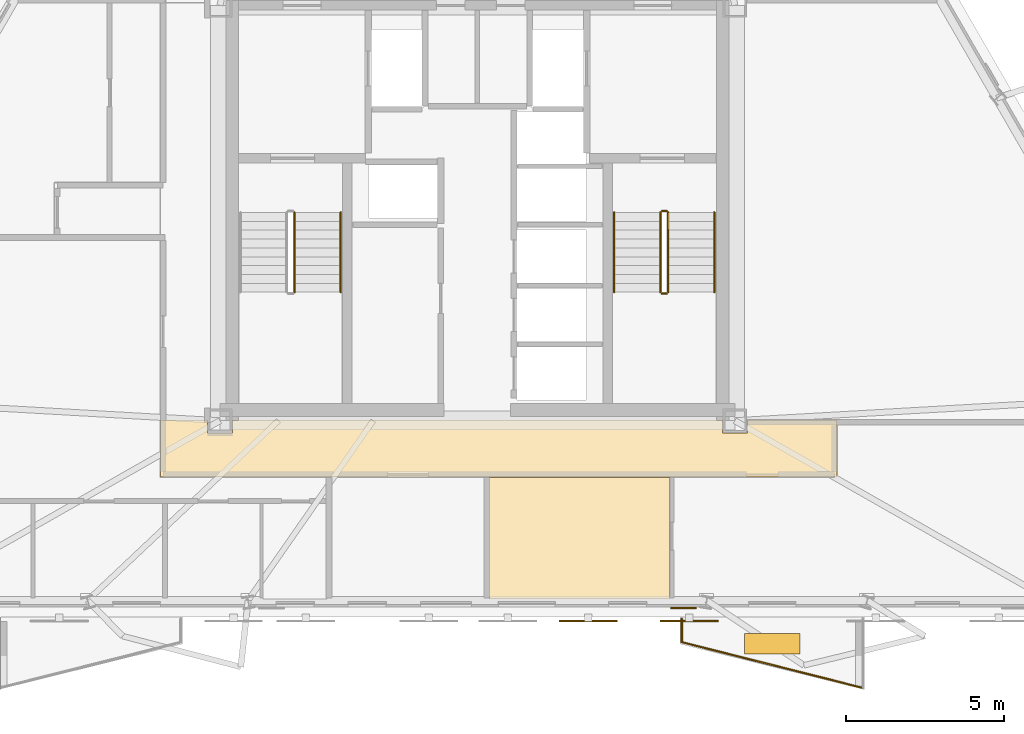
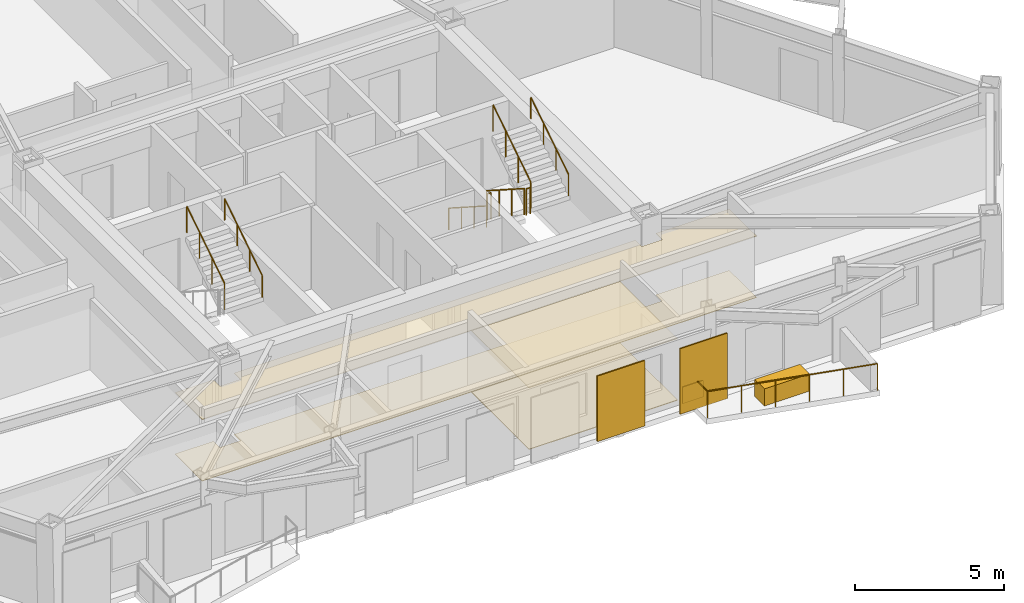
# One storey, part 7 of 8: 10 railings, 6 coverings, 2 shading devices.
"""IFC4 building model written with IfcOpenShell, lengths in metres."""

import ifcopenshell
import ifcopenshell.guid

model = None  # the IFC model being written
_history = None  # IfcOwnerHistory: only IFC2X3 demands one
_inside = {}  # id of a spatial element -> (the spatial element, [elements in it])
_under = {}  # id of a project, library or spatial element -> (it, [spatial elements below it])
_declared = {}  # id of a project -> (the project, [libraries it declares])
_typed = {}  # id of a type object -> (the type object, [elements of that type])
_made_of = {}  # id of a material, layer set ... -> (it, [elements and type objects made of it])


def new_model(schema):
    """Start an empty IFC model of exactly this schema.

    Asked for "IFC4X3", IfcOpenShell would pick the latest addendum, in which some entities
    have other attributes; the version numbers below select the first issue.
    IFC2X3 requires an IfcOwnerHistory on every rooted entity: one is made here for all.
    """
    global model, _history
    if schema == "IFC4X3":
        model = ifcopenshell.file(schema_version=(4, 3, 0, 0))
    else:
        model = ifcopenshell.file(schema=schema)
    _inside.clear()
    _under.clear()
    _declared.clear()
    _typed.clear()
    _made_of.clear()
    _history = None
    if model.schema == "IFC2X3":
        org = make("IfcOrganization", Name="unknown")
        user = make(
            "IfcPersonAndOrganization",
            ThePerson=make("IfcPerson", FamilyName="unknown"),
            TheOrganization=org,
        )
        app = make(
            "IfcApplication",
            ApplicationDeveloper=org,
            Version="unknown",
            ApplicationFullName="unknown",
            ApplicationIdentifier="unknown",
        )
        _history = make(
            "IfcOwnerHistory",
            OwningUser=user,
            OwningApplication=app,
            ChangeAction="ADDED",
            CreationDate=0,
        )
    return model


def make(cls, **values):
    """One entity of the class cls with the attributes given. An attribute that is None is left unset."""
    return model.create_entity(
        cls, **{name: value for name, value in values.items() if value is not None}
    )


def rooted(cls, **values):
    """An entity with a GlobalId (a new one), such as an element, a storey or a relation."""
    return make(cls, GlobalId=ifcopenshell.guid.new(), OwnerHistory=_history, **values)


def si_unit(unit_type, name, prefix=None):
    """IfcSIUnit, for example si_unit("LENGTHUNIT", "METRE", prefix="MILLI")."""
    return make("IfcSIUnit", UnitType=unit_type, Prefix=prefix, Name=name)


def assignment(units):
    """IfcUnitAssignment: the units of a project."""
    return None if units is None else make("IfcUnitAssignment", Units=units)


def point(xyz):
    """IfcCartesianPoint."""
    return None if xyz is None else make("IfcCartesianPoint", Coordinates=xyz)


def direction(xyz):
    """IfcDirection."""
    return None if xyz is None else make("IfcDirection", DirectionRatios=xyz)


def frame(location, z_axis=None, x_axis=None):
    """IfcAxis2Placement3D, a coordinate frame: its origin and axes. An axis left out is left unset."""
    return make(
        "IfcAxis2Placement3D",
        Location=point(location),
        Axis=direction(z_axis),
        RefDirection=direction(x_axis),
    )


def frame_2d(location, x_axis=None):
    """IfcAxis2Placement2D, a coordinate frame in the plane: its origin and x axis."""
    return make(
        "IfcAxis2Placement2D", Location=point(location), RefDirection=direction(x_axis)
    )


def origin():
    """The frame at (0, 0, 0) with its axes left unset."""
    return frame((0.0, 0.0, 0.0))


def origin_2d():
    """The frame at (0, 0) in the plane with its x axis left unset."""
    return frame_2d((0.0, 0.0))


def place(relative_to, where):
    """IfcLocalPlacement: puts the frame where relative to a parent placement (None: the world)."""
    return make(
        "IfcLocalPlacement", PlacementRelTo=relative_to, RelativePlacement=where
    )


def context(
    kind, dimensions, precision=None, world=None, true_north=None, identifier=None
):
    """IfcGeometricRepresentationContext, for example the 3D "Model" context."""
    return make(
        "IfcGeometricRepresentationContext",
        ContextIdentifier=identifier,
        ContextType=kind,
        CoordinateSpaceDimension=dimensions,
        Precision=precision,
        WorldCoordinateSystem=world,
        TrueNorth=true_north,
    )


def subcontext(parent, identifier, kind, view, scale=None):
    """IfcGeometricRepresentationSubContext, for example "Body" below "Model"."""
    return make(
        "IfcGeometricRepresentationSubContext",
        ContextIdentifier=identifier,
        ContextType=kind,
        ParentContext=parent,
        TargetScale=scale,
        TargetView=view,
    )


def project(units=None, contexts=None):
    """IfcProject with its units and contexts."""
    return rooted(
        "IfcProject",
        Name="project",
        RepresentationContexts=contexts,
        UnitsInContext=assignment(units),
    )


def spatial(cls, under=None, at=None, **own):
    """A site, building, storey or space (cls), placed at a placement, below another one or the project."""
    s = rooted(cls, ObjectPlacement=at, **own)
    if under is not None:
        _under.setdefault(under.id(), (under, []))[1].append(s)
    return s


def polyline(points):
    """IfcPolyline through the points."""
    return make("IfcPolyline", Points=[point(p) for p in points])


def profile(cls, at=None, kind="AREA", **sizes):
    """A parametric profile (cls). Its sizes go by their IFC names, for example OverallWidth=200.0."""
    return make(cls, ProfileType=kind, Position=at, **sizes)


def rectangle(**sizes):
    """IfcRectangleProfileDef."""
    return profile("IfcRectangleProfileDef", **sizes)


def circle(**sizes):
    """IfcCircleProfileDef."""
    return profile("IfcCircleProfileDef", **sizes)


def outline(outer, holes=None, kind="AREA"):
    """IfcArbitraryClosedProfileDef: a profile drawn as a closed curve; with holes, ...WithVoids."""
    if holes is None:
        return make("IfcArbitraryClosedProfileDef", ProfileType=kind, OuterCurve=outer)
    return make(
        "IfcArbitraryProfileDefWithVoids",
        ProfileType=kind,
        OuterCurve=outer,
        InnerCurves=holes,
    )


def extrude(swept, where, along, depth):
    """IfcExtrudedAreaSolid: the profile swept, set in the frame where, extruded along a direction by depth."""
    return make(
        "IfcExtrudedAreaSolid",
        SweptArea=swept,
        Position=where,
        ExtrudedDirection=direction(along),
        Depth=depth,
    )


def shape(context_of_items, identifier, shape_type, items):
    """IfcShapeRepresentation: the items that make up one representation, for example the "Body"."""
    return make(
        "IfcShapeRepresentation",
        ContextOfItems=context_of_items,
        RepresentationIdentifier=identifier,
        RepresentationType=shape_type,
        Items=items,
    )


def material(Name=None, Category=None):
    """IfcMaterial."""
    return make("IfcMaterial", Name=Name, Category=Category)


def layer(
    of_material, thickness, ventilated=None, Name=None, Category=None, Priority=None
):
    """IfcMaterialLayer: one layer of a wall or slab, of a material (None: an air gap)."""
    return make(
        "IfcMaterialLayer",
        Material=of_material,
        LayerThickness=thickness,
        IsVentilated=ventilated,
        Name=Name,
        Category=Category,
        Priority=Priority,
    )


def layer_set(layers, Name=None):
    """IfcMaterialLayerSet."""
    return make("IfcMaterialLayerSet", MaterialLayers=layers, LayerSetName=Name)


def made_of(thing, what):
    """Note that an element or type object is made of a material, layer set ...; save() writes the relation."""
    if what is not None:
        _made_of.setdefault(what.id(), (what, []))[1].append(thing)
    return thing


def type_object(cls, material=None, **own):
    """A type object (cls), such as IfcWallType, which elements share."""
    return made_of(rooted(cls, **own), material)


def element(
    cls,
    number,
    at=None,
    inside=None,
    cuts=None,
    type_object=None,
    material=None,
    context=None,
    identifier="Body",
    shape_type=None,
    held_by="IfcProductDefinitionShape",
    body=None,
    shapes=None,
    **own,
):
    """One element of the class cls, such as IfcWall. Its Tag is "e" and its number.

    at: its placement. inside: the storey or other place that contains it. cuts: it is an
    opening in that element (IfcRelVoidsElement). A single representation is given by context,
    identifier, shape_type and body (its items); several are given by shapes. held_by: the class
    of the entity that holds the representations. save() writes the other relations.
    """
    e = rooted(cls, Tag="e%d" % number, ObjectPlacement=at, **own)
    if body is not None:
        shapes = [shape(context, identifier, shape_type, body)]
    if shapes is not None:
        e.Representation = make(held_by, Representations=shapes)
    if inside is not None:
        _inside.setdefault(inside.id(), (inside, []))[1].append(e)
    if cuts is not None:
        rooted(
            "IfcRelVoidsElement", RelatingBuildingElement=cuts, RelatedOpeningElement=e
        )
    if type_object is not None:
        _typed.setdefault(type_object.id(), (type_object, []))[1].append(e)
    return made_of(e, material)


def aggregate(whole, parts):
    """IfcRelAggregates: a whole, such as a stair, and the parts it consists of."""
    return rooted("IfcRelAggregates", RelatingObject=whole, RelatedObjects=parts)


def save(model, path):
    """Write the relations noted so far, then the file.

    IfcRelAggregates (storeys below a building ...), IfcRelContainedInSpatialStructure (elements
    in a storey), IfcRelDefinesByType, IfcRelAssociatesMaterial and IfcRelDeclares: one each for
    every whole, place, type object, material and project.
    """
    for whole, parts in _under.values():
        aggregate(whole, parts)
    for where, things in _inside.values():
        rooted(
            "IfcRelContainedInSpatialStructure",
            RelatedElements=things,
            RelatingStructure=where,
        )
    for kind, things in _typed.values():
        rooted("IfcRelDefinesByType", RelatedObjects=things, RelatingType=kind)
    for what, things in _made_of.values():
        rooted("IfcRelAssociatesMaterial", RelatedObjects=things, RelatingMaterial=what)
    for by, libraries in _declared.values():
        rooted("IfcRelDeclares", RelatingContext=by, RelatedDefinitions=libraries)
    model.write(path)


model = new_model("IFC4")

# Units and contexts
model_context = context("Model", 3, precision=1e-05, world=origin(), true_north=direction((0.0, 1.0)))
body_context = subcontext(model_context, "Body", "Model", "MODEL_VIEW")
ifc_project = project(units=[si_unit("LENGTHUNIT", "METRE"), si_unit("AREAUNIT", "SQUARE_METRE"), si_unit("VOLUMEUNIT", "CUBIC_METRE"), si_unit("PLANEANGLEUNIT", "RADIAN"), si_unit("MASSUNIT", "GRAM", prefix="KILO")], contexts=[model_context])

# Site, building, storey
site_placement = place(None, origin())
site = spatial("IfcSite", under=ifc_project, at=site_placement, CompositionType="ELEMENT")
building_placement = place(site_placement, origin())
building = spatial("IfcBuilding", under=site, at=building_placement, Name="Oramaril Tower", CompositionType="ELEMENT")
storey_placement = place(building_placement, frame((0.0, 0.0, 193.800048828125)))
storey = spatial("IfcBuildingStorey", under=building, at=storey_placement, Name="L51", CompositionType="ELEMENT", Elevation=193.800048828125)

# Coverings
ifc_material_1 = material(Name="Mineral Fibre Acoustic Ceiling")
ifc_layer_1 = layer(ifc_material_1, 0.02001953125)
ifc_layer_set_1 = layer_set([ifc_layer_1], Name="CVT-CEIL")
covering_type_1 = type_object("IfcCoveringType", Name="CVT-CEIL", PredefinedType="CEILING", material=ifc_layer_set_1)
covering_1_placement = place(storey_placement, frame((0.0, 0.0, 2.511962890625)))
element("IfcCovering", 1, at=covering_1_placement, inside=storey, type_object=covering_type_1, Name="L51 Acoustic Suspended Ceiling 1", PredefinedType="CEILING", context=body_context, shape_type="SweptSolid", body=[
    extrude(outline(polyline([(28.955078125, 10.60498046875), (29.7451171875, 10.60498046875), (29.7451171875, 11.030029296875), (45.2548828125, 11.030029296875), (45.2548828125, 10.60498046875), (46.044921875, 10.60498046875), (46.044921875, 11.030029296875), (48.8798828125, 11.030029296875), (48.8798828125, 9.219970703125), (27.469970703125, 9.219970703125), (27.469970703125, 11.030029296875), (28.955078125, 11.030029296875), (28.955078125, 10.60498046875)])), origin(), (0.0, 0.0, 1.0), 0.02001953125),
])
covering_2_placement = place(storey_placement, frame((0.0, 0.0, 2.511962890625)))
element("IfcCovering", 2, at=covering_2_placement, inside=storey, type_object=covering_type_1, Name="L51 Acoustic Suspended Ceiling 8", PredefinedType="CEILING", context=body_context, shape_type="SweptSolid", body=[
    extrude(outline(polyline([(37.862060546875, 5.349609375), (37.862060546875, 9.199951171875), (43.60107421875, 9.199951171875), (43.60107421875, 5.349609375), (37.862060546875, 5.349609375)])), origin(), (0.0, 0.0, 1.0), 0.02001953125),
])
ifc_material_2 = material(Name="Warm Cream Limestone", Category="masonry")
ifc_layer_2 = layer(ifc_material_2, 0.050048828125)
ifc_layer_set_2 = layer_set([ifc_layer_2], Name="CVT-CLD")
covering_type_2 = type_object("IfcCoveringType", Name="CVT-CLD", PredefinedType="CLADDING", material=ifc_layer_set_2)
covering_3_placement = place(storey_placement, frame((44.022216796875, 5.07373046875, 0.0400390625), z_axis=(0.0, 0.0, 1.0), x_axis=(1.0, 0.0, 0.0)))
element("IfcCovering", 3, at=covering_3_placement, inside=storey, type_object=covering_type_2, Name="L51 Warm Cream Limestone Spandrel Cladding", PredefinedType="CLADDING", context=body_context, shape_type="SweptSolid", body=[
    extrude(rectangle(XDim=0.800048828125, YDim=0.050048828125, at=origin_2d()), origin(), (0.0, 0.0, 1.0), 0.679931640625),
])
covering_4_placement = place(storey_placement, frame((46.8330078125, 3.9453125, 0.0), z_axis=(0.0, 0.0, 1.0), x_axis=(1.0, 0.0, 0.0)))
element("IfcCovering", 4, at=covering_4_placement, inside=storey, type_object=covering_type_2, Name="L51 Structural Tree Planter Box L51-BAL-S2", PredefinedType="CLADDING", context=body_context, shape_type="SweptSolid", body=[
    extrude(rectangle(XDim=1.75, YDim=0.64990234375, at=origin_2d()), origin(), (0.0, 0.0, 1.0), 0.699951171875),
])
ifc_material_3 = material(Name="Honed Quartzite Stone Flooring", Category="masonry")
ifc_layer_3 = layer(ifc_material_3, 0.02490234375)
ifc_layer_set_3 = layer_set([ifc_layer_3], Name="CVT-FLR")
covering_type_3 = type_object("IfcCoveringType", Name="CVT-FLR", PredefinedType="FLOORING", material=ifc_layer_set_3)
covering_5_placement = place(storey_placement, origin())
element("IfcCovering", 5, at=covering_5_placement, inside=storey, type_object=covering_type_3, Name="L51 Honed Stone Floor Finish 1", PredefinedType="FLOORING", context=body_context, shape_type="SweptSolid", body=[
    extrude(outline(polyline([(28.955078125, 10.60498046875), (29.7451171875, 10.60498046875), (29.7451171875, 11.030029296875), (45.2548828125, 11.030029296875), (45.2548828125, 10.60498046875), (46.044921875, 10.60498046875), (46.044921875, 11.030029296875), (48.8798828125, 11.030029296875), (48.8798828125, 9.219970703125), (27.469970703125, 9.219970703125), (27.469970703125, 11.030029296875), (28.955078125, 11.030029296875), (28.955078125, 10.60498046875)])), origin(), (0.0, 0.0, 1.0), 0.02490234375),
])
covering_6_placement = place(storey_placement, origin())
element("IfcCovering", 6, at=covering_6_placement, inside=storey, type_object=covering_type_3, Name="L51 Honed Stone Floor Finish 8", PredefinedType="FLOORING", context=body_context, shape_type="SweptSolid", body=[
    extrude(outline(polyline([(37.862060546875, 5.349609375), (37.862060546875, 9.199951171875), (43.60107421875, 9.199951171875), (43.60107421875, 5.349609375), (37.862060546875, 5.349609375)])), origin(), (0.0, 0.0, 1.0), 0.02490234375),
])

# Railings
ifc_material_4 = material(Name="Stainless Steel 316L", Category="steel")
railing_type_1 = type_object("IfcRailingType", Name="RLT-GRD", PredefinedType="GUARDRAIL", material=ifc_material_4)
railing_1_placement = place(storey_placement, frame((49.697998046875, 2.541748046875, 0.0)))
element("IfcRailing", 7, at=railing_1_placement, inside=storey, type_object=railing_type_1, Name="L51 Balcony Guardrail L51-BAL-S2.2", PredefinedType="GUARDRAIL", context=body_context, shape_type="SweptSolid", body=[
    extrude(circle(Radius=0.02392578125, at=origin_2d()), frame((0.0, 0.0, 1.076171875), z_axis=(-0.969443611257, 0.245314256807, 0.0), x_axis=(-0.245314256807, -0.969443611257, 0.0)), (0.0, 0.0, 1.0), 5.91064453125),
    extrude(circle(Radius=0.02099609375, at=origin_2d()), origin(), (0.0, 0.0, 1.0), 1.052001953125),
    extrude(circle(Radius=0.02099609375, at=origin_2d()), frame((-1.14599609375, 0.2900390625, 0.0)), (0.0, 0.0, 1.0), 1.052001953125),
    extrude(circle(Radius=0.02099609375, at=origin_2d()), frame((-2.2919921875, 0.580078125, 0.0)), (0.0, 0.0, 1.0), 1.052001953125),
    extrude(circle(Radius=0.02099609375, at=origin_2d()), frame((-3.43798828125, 0.869873046875, 0.0)), (0.0, 0.0, 1.0), 1.052001953125),
    extrude(circle(Radius=0.02099609375, at=origin_2d()), frame((-4.583984375, 1.159912109375, 0.0)), (0.0, 0.0, 1.0), 1.052001953125),
    extrude(circle(Radius=0.02099609375, at=origin_2d()), frame((-5.72998046875, 1.449951171875, 0.0)), (0.0, 0.0, 1.0), 1.052001953125),
])
railing_2_placement = place(storey_placement, frame((43.968017578125, 3.99169921875, 0.0)))
element("IfcRailing", 8, at=railing_2_placement, inside=storey, type_object=railing_type_1, Name="L51 Balcony Guardrail L51-BAL-S2.3", PredefinedType="GUARDRAIL", context=body_context, shape_type="SweptSolid", body=[
    extrude(circle(Radius=0.02392578125, at=origin_2d()), frame((0.0, 0.0, 1.076171875), z_axis=(0.0, 1.0, 0.0), x_axis=(-1.0, 0.0, 0.0)), (0.0, 0.0, 1.0), 0.741943359375),
    extrude(circle(Radius=0.02099609375, at=origin_2d()), origin(), (0.0, 0.0, 1.0), 1.052001953125),
    extrude(circle(Radius=0.02099609375, at=origin_2d()), frame((0.0, 0.741943359375, 0.0)), (0.0, 0.0, 1.0), 1.052001953125),
])
railing_3_placement = place(storey_placement, frame((31.7099609375, 15.070068359375, 1.97998046875)))
element("IfcRailing", 9, at=railing_3_placement, inside=storey, type_object=railing_type_1, Name="L51 ST-1 stair guard 3", PredefinedType="GUARDRAIL", context=body_context, shape_type="SweptSolid", body=[
    extrude(circle(Radius=0.02392578125, at=origin_2d()), frame((0.0, 0.0, 1.076171875), z_axis=(0.0, 0.841199657755, 0.540724639528), x_axis=(-1.0, 0.0, 0.0)), (0.0, 0.0, 1.0), 2.995849609375),
    extrude(circle(Radius=0.02099609375, at=origin_2d()), origin(), (0.0, 0.0, 1.0), 1.052001953125),
    extrude(circle(Radius=0.02099609375, at=origin_2d()), frame((0.0, 0.840087890625, 0.5400390625)), (0.0, 0.0, 1.0), 1.052001953125),
    extrude(circle(Radius=0.02099609375, at=origin_2d()), frame((0.0, 1.679931640625, 1.079833984375)), (0.0, 0.0, 1.0), 1.052001953125),
    extrude(circle(Radius=0.02099609375, at=origin_2d()), frame((0.0, 2.52001953125, 1.619873046875)), (0.0, 0.0, 1.0), 1.052001953125),
])
railing_4_placement = place(storey_placement, frame((43.2900390625, 17.590087890625, 0.179931640625)))
element("IfcRailing", 10, at=railing_4_placement, inside=storey, type_object=railing_type_1, Name="L51 ST-2 stair guard 1", PredefinedType="GUARDRAIL", context=body_context, shape_type="SweptSolid", body=[
    extrude(circle(Radius=0.02392578125, at=origin_2d()), frame((0.0, 0.0, 1.076171875), z_axis=(0.0, -0.841162588446, 0.540782303519), x_axis=(1.0, 0.0, 0.0)), (0.0, 0.0, 1.0), 2.995849609375),
    extrude(circle(Radius=0.02099609375, at=origin_2d()), origin(), (0.0, 0.0, 1.0), 1.052001953125),
    extrude(circle(Radius=0.02099609375, at=origin_2d()), frame((0.0, -0.840087890625, 0.5400390625)), (0.0, 0.0, 1.0), 1.052001953125),
    extrude(circle(Radius=0.02099609375, at=origin_2d()), frame((0.0, -1.679931640625, 1.080078125)), (0.0, 0.0, 1.0), 1.052001953125),
    extrude(circle(Radius=0.02099609375, at=origin_2d()), frame((0.0, -2.52001953125, 1.6201171875)), (0.0, 0.0, 1.0), 1.052001953125),
])
railing_5_placement = place(storey_placement, frame((43.340087890625, 15.02001953125, 1.800048828125)))
element("IfcRailing", 11, at=railing_5_placement, inside=storey, type_object=railing_type_1, Name="L51 ST-2 stair guard 2", PredefinedType="GUARDRAIL", context=body_context, shape_type="SweptSolid", body=[
    extrude(circle(Radius=0.02392578125, at=origin_2d()), frame((0.0, 0.0, 1.076171875), z_axis=(1.0, 0.0, 0.0), x_axis=(0.0, 1.0, 0.0)), (0.0, 0.0, 1.0), 0.14990234375),
    extrude(circle(Radius=0.02099609375, at=origin_2d()), origin(), (0.0, 0.0, 1.0), 1.052001953125),
    extrude(circle(Radius=0.02099609375, at=origin_2d()), frame((0.14990234375, 0.0, 0.0)), (0.0, 0.0, 1.0), 1.052001953125),
])
railing_6_placement = place(storey_placement, frame((43.5400390625, 15.070068359375, 1.97998046875)))
element("IfcRailing", 12, at=railing_6_placement, inside=storey, type_object=railing_type_1, Name="L51 ST-2 stair guard 3", PredefinedType="GUARDRAIL", context=body_context, shape_type="SweptSolid", body=[
    extrude(circle(Radius=0.02392578125, at=origin_2d()), frame((0.0, 0.0, 1.076171875), z_axis=(0.0, 0.841199657755, 0.540724639528), x_axis=(-1.0, 0.0, 0.0)), (0.0, 0.0, 1.0), 2.995849609375),
    extrude(circle(Radius=0.02099609375, at=origin_2d()), origin(), (0.0, 0.0, 1.0), 1.052001953125),
    extrude(circle(Radius=0.02099609375, at=origin_2d()), frame((0.0, 0.840087890625, 0.5400390625)), (0.0, 0.0, 1.0), 1.052001953125),
    extrude(circle(Radius=0.02099609375, at=origin_2d()), frame((0.0, 1.679931640625, 1.079833984375)), (0.0, 0.0, 1.0), 1.052001953125),
    extrude(circle(Radius=0.02099609375, at=origin_2d()), frame((0.0, 2.52001953125, 1.619873046875)), (0.0, 0.0, 1.0), 1.052001953125),
])
railing_7_placement = place(storey_placement, frame((43.340087890625, 17.639892578125, 0.0)))
element("IfcRailing", 13, at=railing_7_placement, inside=storey, type_object=railing_type_1, Name="L51 ST-2 stair guard 4", PredefinedType="GUARDRAIL", context=body_context, shape_type="SweptSolid", body=[
    extrude(circle(Radius=0.02392578125, at=origin_2d()), frame((0.0, 0.0, 1.076171875), z_axis=(1.0, 0.0, 0.0), x_axis=(0.0, 1.0, 0.0)), (0.0, 0.0, 1.0), 0.14990234375),
    extrude(circle(Radius=0.02099609375, at=origin_2d()), origin(), (0.0, 0.0, 1.0), 1.052001953125),
    extrude(circle(Radius=0.02099609375, at=origin_2d()), frame((0.14990234375, 0.0, 0.0)), (0.0, 0.0, 1.0), 1.052001953125),
])
ifc_material_5 = material(Name="Stainless Steel 316L", Category="steel")
railing_type_2 = type_object("IfcRailingType", Name="RLT-HND", PredefinedType="HANDRAIL", material=ifc_material_5)
railing_8_placement = place(storey_placement, frame((33.169921875, 15.070068359375, 1.97998046875)))
element("IfcRailing", 14, at=railing_8_placement, inside=storey, type_object=railing_type_2, Name="L51 ST-1 stair handrail 2", PredefinedType="HANDRAIL", context=body_context, shape_type="SweptSolid", body=[
    extrude(circle(Radius=0.02392578125, at=origin_2d()), frame((0.0, 0.0, 0.8759765625), z_axis=(0.0, 0.841199657755, 0.540724639528), x_axis=(-1.0, 0.0, 0.0)), (0.0, 0.0, 1.0), 2.995849609375),
    extrude(circle(Radius=0.02099609375, at=origin_2d()), origin(), (0.0, 0.0, 1.0), 0.851806640625),
    extrude(circle(Radius=0.02099609375, at=origin_2d()), frame((0.0, 0.840087890625, 0.5400390625)), (0.0, 0.0, 1.0), 0.851806640625),
    extrude(circle(Radius=0.02099609375, at=origin_2d()), frame((0.0, 1.679931640625, 1.079833984375)), (0.0, 0.0, 1.0), 0.851806640625),
    extrude(circle(Radius=0.02099609375, at=origin_2d()), frame((0.0, 2.52001953125, 1.619873046875)), (0.0, 0.0, 1.0), 0.851806640625),
])
railing_9_placement = place(storey_placement, frame((41.830078125, 17.590087890625, 0.179931640625)))
element("IfcRailing", 15, at=railing_9_placement, inside=storey, type_object=railing_type_2, Name="L51 ST-2 stair handrail 1", PredefinedType="HANDRAIL", context=body_context, shape_type="SweptSolid", body=[
    extrude(circle(Radius=0.02392578125, at=origin_2d()), frame((0.0, 0.0, 0.8759765625), z_axis=(0.0, -0.841162588446, 0.540782303519), x_axis=(1.0, 0.0, 0.0)), (0.0, 0.0, 1.0), 2.995849609375),
    extrude(circle(Radius=0.02099609375, at=origin_2d()), origin(), (0.0, 0.0, 1.0), 0.851806640625),
    extrude(circle(Radius=0.02099609375, at=origin_2d()), frame((0.0, -0.840087890625, 0.5400390625)), (0.0, 0.0, 1.0), 0.851806640625),
    extrude(circle(Radius=0.02099609375, at=origin_2d()), frame((0.0, -1.679931640625, 1.080078125)), (0.0, 0.0, 1.0), 0.851806640625),
    extrude(circle(Radius=0.02099609375, at=origin_2d()), frame((0.0, -2.52001953125, 1.6201171875)), (0.0, 0.0, 1.0), 0.851806640625),
])
railing_10_placement = place(storey_placement, frame((45.0, 15.070068359375, 1.97998046875)))
element("IfcRailing", 16, at=railing_10_placement, inside=storey, type_object=railing_type_2, Name="L51 ST-2 stair handrail 2", PredefinedType="HANDRAIL", context=body_context, shape_type="SweptSolid", body=[
    extrude(circle(Radius=0.02392578125, at=origin_2d()), frame((0.0, 0.0, 0.8759765625), z_axis=(0.0, 0.841199657755, 0.540724639528), x_axis=(-1.0, 0.0, 0.0)), (0.0, 0.0, 1.0), 2.995849609375),
    extrude(circle(Radius=0.02099609375, at=origin_2d()), origin(), (0.0, 0.0, 1.0), 0.851806640625),
    extrude(circle(Radius=0.02099609375, at=origin_2d()), frame((0.0, 0.840087890625, 0.5400390625)), (0.0, 0.0, 1.0), 0.851806640625),
    extrude(circle(Radius=0.02099609375, at=origin_2d()), frame((0.0, 1.679931640625, 1.079833984375)), (0.0, 0.0, 1.0), 0.851806640625),
    extrude(circle(Radius=0.02099609375, at=origin_2d()), frame((0.0, 2.52001953125, 1.619873046875)), (0.0, 0.0, 1.0), 0.851806640625),
])

# Shading devices
for number, where, z_axis, x_axis, name in (
    (17, (41.010498046875, 4.66162109375, -0.02001953125), (0.0, 0.0, 1.0), (1.0, 0.0, 0.0), "L51 Perforated Ceramic Solar Screen"),
    (18, (44.202392578125, 4.66162109375, -0.02001953125), (0.0, 0.0, 1.0), (1.0, 0.0, 0.0), "L51 Perforated Ceramic Solar Screen"),
):
    element("IfcShadingDevice", number, at=place(storey_placement, frame(where, z_axis=z_axis, x_axis=x_axis)), inside=storey, Name=name, ObjectType="SCREEN", PredefinedType="USERDEFINED", context=body_context, shape_type="SweptSolid", body=[
        extrude(rectangle(XDim=1.8330078125, YDim=0.050048828125, at=origin_2d()), origin(), (0.0, 0.0, 1.0), 2.677001953125),
    ])

save(model, "model.ifc")
